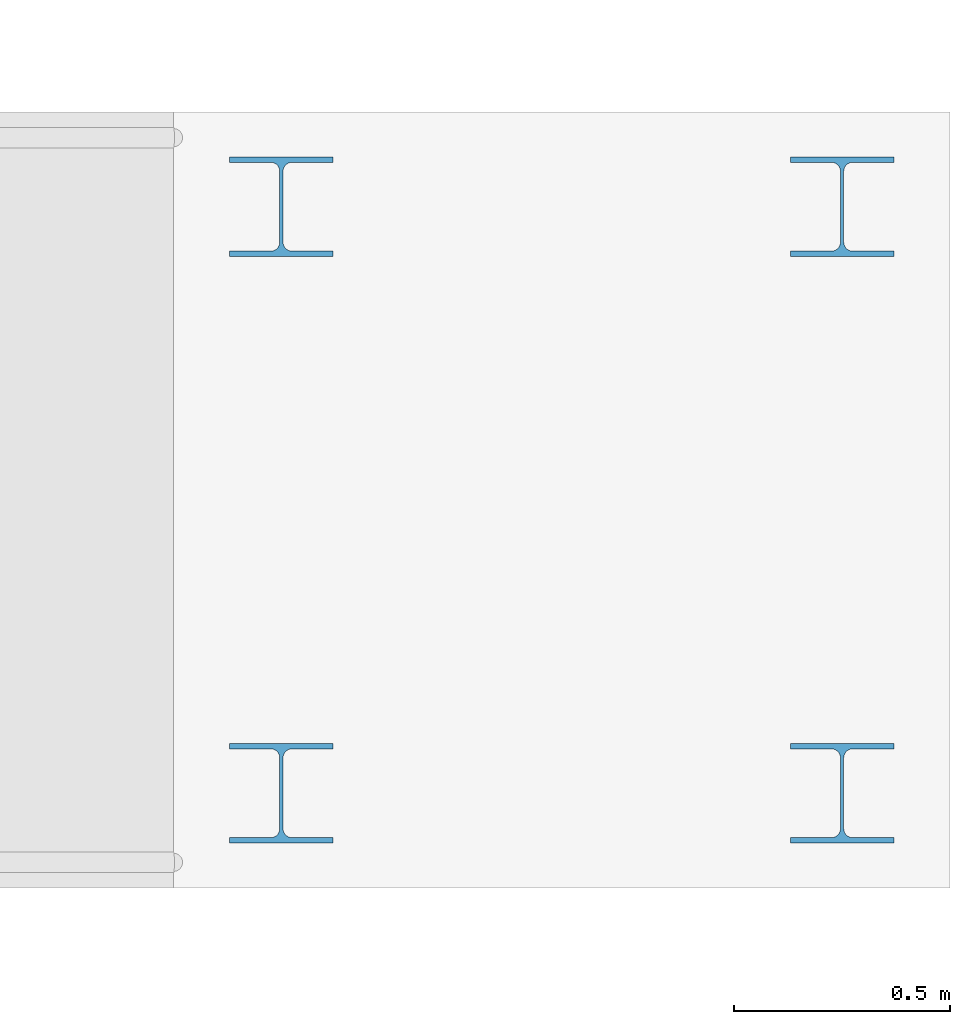
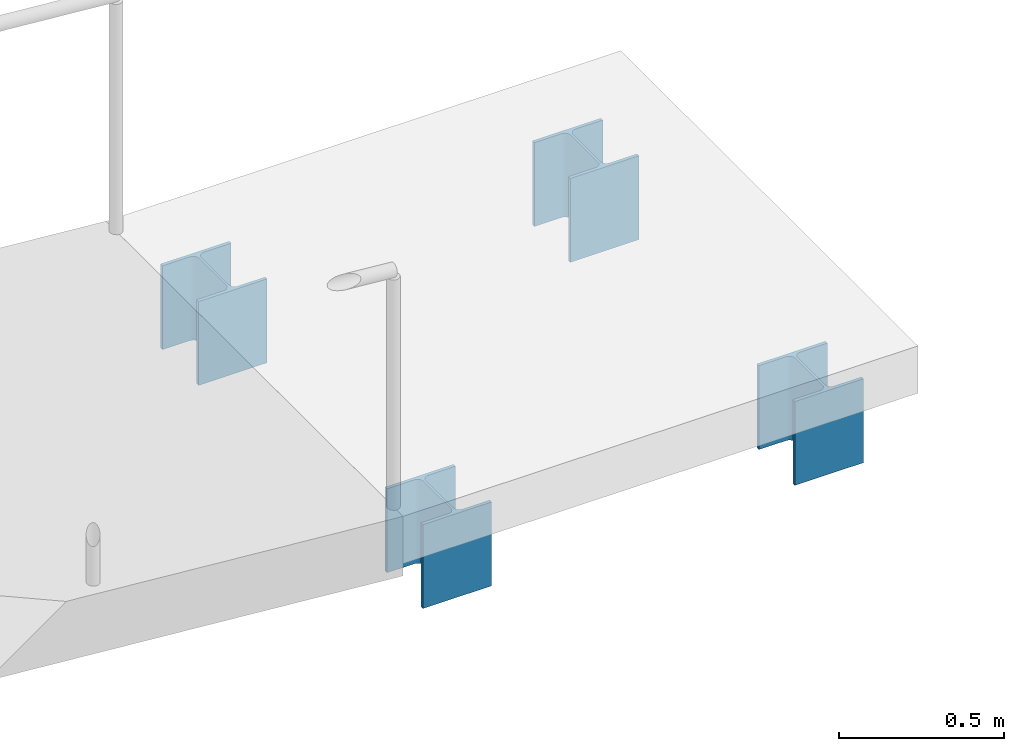
# One storey, part 47 of 86: 4 members.
"""IFC4 building model written with IfcOpenShell, lengths in metres."""

from ifc_helpers import new_model, si_unit, direction, frame, origin, origin_2d, place, context, subcontext, project, spatial, i_section, extrude, material, material_profile, profile_set, type_object, element, save


model = new_model("IFC4")

# Units and contexts
model_context = context("Model", 3, precision=1e-05, world=origin(), true_north=direction((0.0, 1.0)))
body_context = subcontext(model_context, "Body", "Model", "MODEL_VIEW")
ifc_project = project(units=[si_unit("LENGTHUNIT", "METRE"), si_unit("AREAUNIT", "SQUARE_METRE"), si_unit("VOLUMEUNIT", "CUBIC_METRE"), si_unit("PLANEANGLEUNIT", "RADIAN"), si_unit("MASSUNIT", "GRAM", prefix="KILO")], contexts=[model_context])

# Site, building, storey
site_placement = place(None, origin())
site = spatial("IfcSite", under=ifc_project, at=site_placement, CompositionType="ELEMENT")
building_placement = place(site_placement, origin())
building = spatial("IfcBuilding", under=site, at=building_placement, Name="Kenh Van Central Station", CompositionType="ELEMENT")
storey_placement = place(building_placement, origin())
storey = spatial("IfcBuildingStorey", under=building, at=storey_placement, Name="L00", CompositionType="ELEMENT", Elevation=0.0)

# Members
ifc_material = material(Name="Steel S355", Category="steel")
ifc_material_profile = material_profile(ifc_material, i_section(OverallWidth=0.239990234375, OverallDepth=0.22998046875, WebThickness=0.007568359375, FlangeThickness=0.011962890625, FilletRadius=0.02099609375, at=origin_2d()), Name="HEA 240")
ifc_profile_set = profile_set([ifc_material_profile], Name="Steel S355")
member_type = type_object("IfcMemberType", Name="MEM-ROOF-POST240", PredefinedType="POST", material=ifc_profile_set)
for number, where, z_axis, x_axis, name in (
    (1, (180.449951171875, 44.679931640625, -0.800048828125), (0.0, 0.0, 1.0), (1.0, 0.0, 0.0), "Operations East Entrance Accessible Ramp landing support post 11"),
    (2, (180.449951171875, 43.320068359375, -0.800048828125), (0.0, 0.0, 1.0), (1.0, 0.0, 0.0), "Operations East Entrance Accessible Ramp landing support post 12"),
    (3, (181.75, 44.679931640625, -0.800048828125), (0.0, 0.0, 1.0), (1.0, 0.0, 0.0), "Operations East Entrance Accessible Ramp landing support post 21"),
    (4, (181.75, 43.320068359375, -0.800048828125), (0.0, 0.0, 1.0), (1.0, 0.0, 0.0), "Operations East Entrance Accessible Ramp landing support post 22"),
):
    element("IfcMember", number, at=place(storey_placement, frame(where, z_axis=z_axis, x_axis=x_axis)), inside=storey, type_object=member_type, Name=name, PredefinedType="POST", context=body_context, shape_type="SweptSolid", body=[
        extrude(i_section(OverallWidth=0.239990234375, OverallDepth=0.22998046875, WebThickness=0.007568359375, FlangeThickness=0.011962890625, FilletRadius=0.02099609375, at=origin_2d()), origin(), (0.0, 0.0, 1.0), 0.31005859375),
    ])

save(model, "model.ifc")
